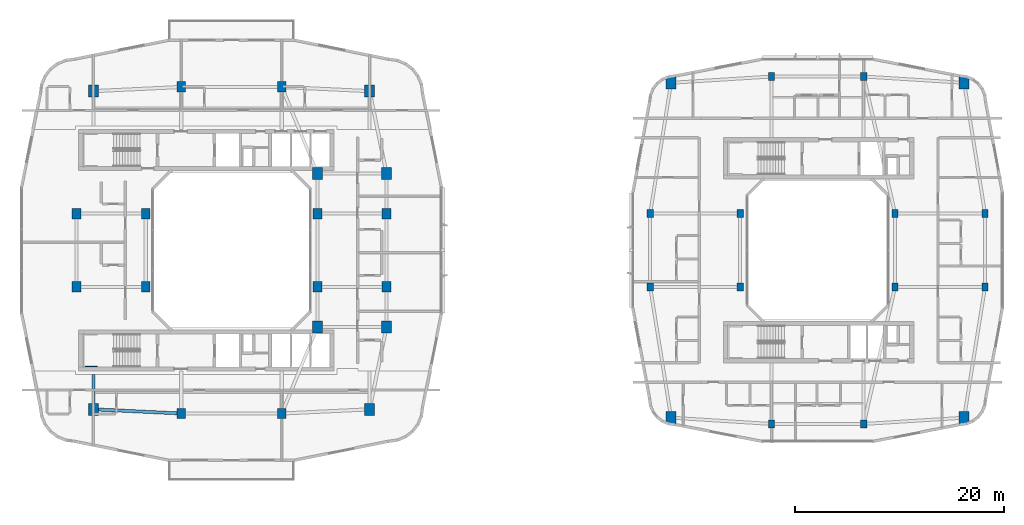
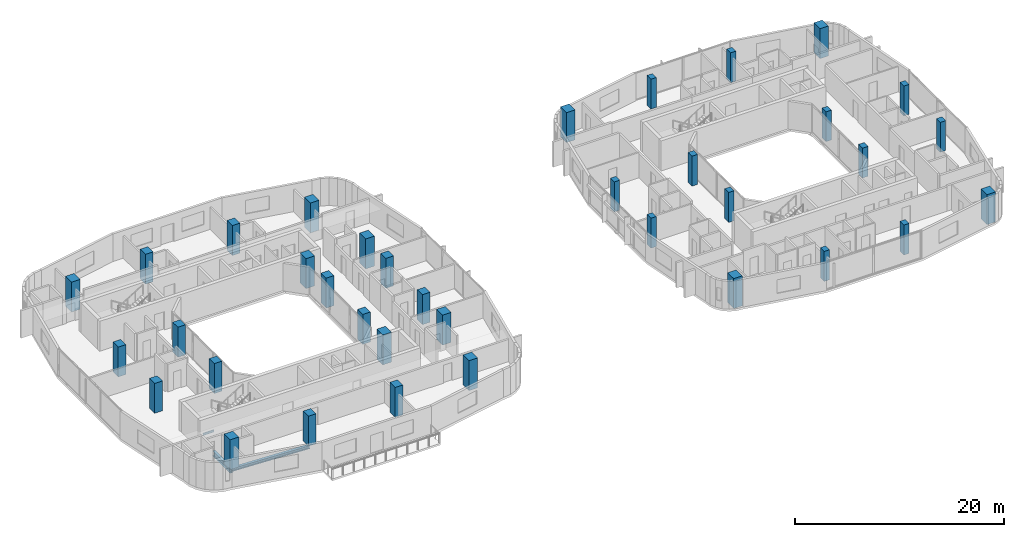
# One storey, part 1 of 26: 36 columns, 3 beams.
"""IFC4 building model written with IfcOpenShell, lengths in metres."""

from ifc_helpers import new_model, si_unit, derived_unit, direction, frame, origin, origin_2d, place, context, subcontext, project, spatial, rectangle, i_section, extrude, material, material_profile, profile_set, type_object, element, save


model = new_model("IFC4")

# Units and contexts
model_context = context("Model", 3, precision=1e-05, world=origin(), true_north=direction((0.0, 1.0)))
body_context = subcontext(model_context, "Body", "Model", "MODEL_VIEW")
ifc_project = project(units=[si_unit("LENGTHUNIT", "METRE"), si_unit("AREAUNIT", "SQUARE_METRE"), si_unit("VOLUMEUNIT", "CUBIC_METRE"), si_unit("PLANEANGLEUNIT", "RADIAN"), si_unit("MASSUNIT", "GRAM", prefix="KILO"), derived_unit("THERMALTRANSMITTANCEUNIT", [(si_unit("POWERUNIT", "WATT"), 1), (si_unit("LENGTHUNIT", "METRE"), -2), (si_unit("THERMODYNAMICTEMPERATUREUNIT", "KELVIN"), -1)])], contexts=[model_context])

# Site, building, storey
site_placement = place(None, origin())
site = spatial("IfcSite", under=ifc_project, at=site_placement, CompositionType="ELEMENT")
building_placement = place(site_placement, origin())
building = spatial("IfcBuilding", under=site, at=building_placement, Name="Kivonza Crest Hotel", CompositionType="ELEMENT")
storey_placement = place(building_placement, frame((0.0, 0.0, 95.0)))
storey = spatial("IfcBuildingStorey", under=building, at=storey_placement, Name="L25", CompositionType="ELEMENT", Elevation=95.0)

# Columns
ifc_material_1 = material(Name="Concrete C50/60", Category="concrete")
ifc_material_profile_1 = material_profile(ifc_material_1, rectangle(XDim=0.85009765625, YDim=1.0, at=origin_2d()), Name="RC 1000x850")
ifc_profile_set_1 = profile_set([ifc_material_profile_1], Name="Concrete C50/60")
column_type_1 = type_object("IfcColumnType", Name="CL-RC-1000x850", PredefinedType="COLUMN", material=ifc_profile_set_1)
for number, where, z_axis, x_axis, name in (
    (1, (16.199951171875, 9.39990234375, 0.0), (0.0, 0.0, 1.0), (1.0, 0.0, 0.0), "Tower T1 L25 column S1"),
    (2, (25.800048828125, 9.39990234375, 0.0), (0.0, 0.0, 1.0), (1.0, 0.0, 0.0), "Tower T1 L25 column S2"),
    (3, (16.199951171875, 40.60009765625, 0.0), (0.0, 0.0, 1.0), (1.0, 0.0, 0.0), "Tower T1 L25 column N1"),
    (4, (25.800048828125, 40.60009765625, 0.0), (0.0, 0.0, 1.0), (1.0, 0.0, 0.0), "Tower T1 L25 column N2"),
    (5, (6.199951171875, 21.5, 0.0), (0.0, 0.0, 1.0), (1.0, 0.0, 0.0), "Tower T1 L25 column W1"),
    (6, (6.199951171875, 28.5, 0.0), (0.0, 0.0, 1.0), (1.0, 0.0, 0.0), "Tower T1 L25 column W2"),
    (7, (35.800048828125, 21.5, 0.0), (0.0, 0.0, 1.0), (1.0, 0.0, 0.0), "Tower T1 L25 column E1"),
    (8, (35.800048828125, 28.5, 0.0), (0.0, 0.0, 1.0), (1.0, 0.0, 0.0), "Tower T1 L25 column E2"),
    (9, (12.800048828125, 21.5, 0.0), (0.0, 0.0, 1.0), (1.0, 0.0, 0.0), "Tower T1 L25 column WL1"),
    (10, (12.800048828125, 28.5, 0.0), (0.0, 0.0, 1.0), (1.0, 0.0, 0.0), "Tower T1 L25 column WL2"),
    (11, (29.199951171875, 21.5, 0.0), (0.0, 0.0, 1.0), (1.0, 0.0, 0.0), "Tower T1 L25 column WR1"),
    (12, (29.199951171875, 28.5, 0.0), (0.0, 0.0, 1.0), (1.0, 0.0, 0.0), "Tower T1 L25 column WR2"),
):
    element("IfcColumn", number, at=place(storey_placement, frame(where, z_axis=z_axis, x_axis=x_axis)), inside=storey, type_object=column_type_1, Name=name, PredefinedType="COLUMN", context=body_context, shape_type="SweptSolid", body=[
        extrude(rectangle(XDim=0.85009765625, YDim=1.0, at=origin_2d()), origin(), (0.0, 0.0, 1.0), 3.5),
    ])
ifc_material_2 = material(Name="Concrete C60/75", Category="concrete")
ifc_material_profile_2 = material_profile(ifc_material_2, rectangle(XDim=0.949951171875, YDim=1.14990234375, at=origin_2d()), Name="RC 1150x950")
ifc_profile_set_2 = profile_set([ifc_material_profile_2], Name="Concrete C60/75")
column_type_2 = type_object("IfcColumnType", Name="CL-RC-1150x950", PredefinedType="COLUMN", material=ifc_profile_set_2)
for number, where, z_axis, x_axis, name in (
    (13, (7.800048828125, 9.800048828125, 0.0), (0.0, 0.0, 1.0), (1.0, 0.0, 0.0), "Tower T1 L25 column SW"),
    (14, (34.199951171875, 9.800048828125, 0.0), (0.0, 0.0, 1.0), (1.0, 0.0, 0.0), "Tower T1 L25 column SE"),
    (15, (34.199951171875, 40.199951171875, 0.0), (0.0, 0.0, 1.0), (1.0, 0.0, 0.0), "Tower T1 L25 column NE"),
    (16, (7.800048828125, 40.199951171875, 0.0), (0.0, 0.0, 1.0), (1.0, 0.0, 0.0), "Tower T1 L25 column NW"),
    (17, (35.800048828125, 17.64990234375, 0.0), (0.0, 0.0, 1.0), (1.0, 0.0, 0.0), "Tower T1 L25 column PSE"),
    (18, (35.800048828125, 32.35009765625, 0.0), (0.0, 0.0, 1.0), (1.0, 0.0, 0.0), "Tower T1 L25 column PNE"),
    (19, (29.199951171875, 17.64990234375, 0.0), (0.0, 0.0, 1.0), (1.0, 0.0, 0.0), "Tower T1 L25 column TSE"),
    (20, (29.199951171875, 32.35009765625, 0.0), (0.0, 0.0, 1.0), (1.0, 0.0, 0.0), "Tower T1 L25 column TNE"),
    (21, (63.0, 9.0, 0.0), (0.0, 0.0, 1.0), (1.0, 0.0, 0.0), "Companion Tower T2 L25 column SW"),
    (22, (91.0, 9.0, 0.0), (0.0, 0.0, 1.0), (1.0, 0.0, 0.0), "Companion Tower T2 L25 column SE"),
    (23, (91.0, 41.0, 0.0), (0.0, 0.0, 1.0), (1.0, 0.0, 0.0), "Companion Tower T2 L25 column NE"),
    (24, (63.0, 41.0, 0.0), (0.0, 0.0, 1.0), (1.0, 0.0, 0.0), "Companion Tower T2 L25 column NW"),
):
    element("IfcColumn", number, at=place(storey_placement, frame(where, z_axis=z_axis, x_axis=x_axis)), inside=storey, type_object=column_type_2, Name=name, PredefinedType="COLUMN", context=body_context, shape_type="SweptSolid", body=[
        extrude(rectangle(XDim=0.949951171875, YDim=1.14990234375, at=origin_2d()), origin(), (0.0, 0.0, 1.0), 3.5),
    ])
ifc_material_profile_3 = material_profile(ifc_material_1, rectangle(XDim=0.60009765625, YDim=0.75, at=origin_2d()), Name="RC 750x600")
ifc_profile_set_3 = profile_set([ifc_material_profile_3], Name="Concrete C50/60")
column_type_3 = type_object("IfcColumnType", Name="CL-RC-750x600", PredefinedType="COLUMN", material=ifc_profile_set_3)
for number, where, z_axis, x_axis, name in (
    (25, (72.60009765625, 8.39990234375, 0.0), (0.0, 0.0, 1.0), (1.0, 0.0, 0.0), "Companion Tower T2 L25 column S1"),
    (26, (81.39990234375, 8.39990234375, 0.0), (0.0, 0.0, 1.0), (1.0, 0.0, 0.0), "Companion Tower T2 L25 column S2"),
    (27, (72.60009765625, 41.60009765625, 0.0), (0.0, 0.0, 1.0), (1.0, 0.0, 0.0), "Companion Tower T2 L25 column N1"),
    (28, (81.39990234375, 41.60009765625, 0.0), (0.0, 0.0, 1.0), (1.0, 0.0, 0.0), "Companion Tower T2 L25 column N2"),
    (29, (61.0, 21.5, 0.0), (0.0, 0.0, 1.0), (1.0, 0.0, 0.0), "Companion Tower T2 L25 column W1"),
    (30, (61.0, 28.5, 0.0), (0.0, 0.0, 1.0), (1.0, 0.0, 0.0), "Companion Tower T2 L25 column W2"),
    (31, (93.0, 21.5, 0.0), (0.0, 0.0, 1.0), (1.0, 0.0, 0.0), "Companion Tower T2 L25 column E1"),
    (32, (93.0, 28.5, 0.0), (0.0, 0.0, 1.0), (1.0, 0.0, 0.0), "Companion Tower T2 L25 column E2"),
    (33, (69.60009765625, 21.5, 0.0), (0.0, 0.0, 1.0), (1.0, 0.0, 0.0), "Companion Tower T2 L25 column WL1"),
    (34, (69.60009765625, 28.5, 0.0), (0.0, 0.0, 1.0), (1.0, 0.0, 0.0), "Companion Tower T2 L25 column WL2"),
    (35, (84.39990234375, 21.5, 0.0), (0.0, 0.0, 1.0), (1.0, 0.0, 0.0), "Companion Tower T2 L25 column WR1"),
    (36, (84.39990234375, 28.5, 0.0), (0.0, 0.0, 1.0), (1.0, 0.0, 0.0), "Companion Tower T2 L25 column WR2"),
):
    element("IfcColumn", number, at=place(storey_placement, frame(where, z_axis=z_axis, x_axis=x_axis)), inside=storey, type_object=column_type_3, Name=name, PredefinedType="COLUMN", context=body_context, shape_type="SweptSolid", body=[
        extrude(rectangle(XDim=0.60009765625, YDim=0.75, at=origin_2d()), origin(), (0.0, 0.0, 1.0), 3.5),
    ])

# Beams
ifc_material_3 = material(Name="Steel S355", Category="steel")
ifc_material_profile_4 = material_profile(ifc_material_3, i_section(OverallWidth=0.300048828125, OverallDepth=0.360107421875, WebThickness=0.012451171875, FlangeThickness=0.0224609375, FilletRadius=0.027099609375, at=origin_2d()), Name="HEB 360")
ifc_profile_set_4 = profile_set([ifc_material_profile_4], Name="Steel S355")
beam_type_1 = type_object("IfcBeamType", Name="BM-HEB360", PredefinedType="SPANDREL", material=ifc_profile_set_4)
beam_1_placement = place(storey_placement, frame((7.800048828125, 9.800048828125, -0.4599609375), z_axis=(0.998867283688, -0.047583080799, 0.0), x_axis=(0.047583080799, 0.998867283688, 0.0)))
element("IfcBeam", 37, at=beam_1_placement, inside=storey, type_object=beam_type_1, Name="Tower T1 L25 perimeter spandrel SW-S1", PredefinedType="SPANDREL", context=body_context, shape_type="SweptSolid", body=[
    extrude(i_section(OverallWidth=0.300048828125, OverallDepth=0.360107421875, WebThickness=0.012451171875, FlangeThickness=0.0224609375, FilletRadius=0.027099609375, at=origin_2d()), origin(), (0.0, 0.0, 1.0), 8.409423828125),
])
ifc_material_profile_5 = material_profile(ifc_material_3, i_section(OverallWidth=0.300048828125, OverallDepth=0.60009765625, WebThickness=0.015380859375, FlangeThickness=0.030029296875, FilletRadius=0.027099609375, at=origin_2d()), Name="HEB 600")
ifc_profile_set_5 = profile_set([ifc_material_profile_5], Name="Steel S355")
beam_type_2 = type_object("IfcBeamType", Name="BM-HEB600", PredefinedType="BEAM", material=ifc_profile_set_5)
beam_2_placement = place(storey_placement, frame((7.800048828125, 9.800048828125, -0.580078125), z_axis=(0.0, 1.0, 0.0), x_axis=(-1.0, 0.0, 0.0)))
element("IfcBeam", 38, at=beam_2_placement, inside=storey, type_object=beam_type_2, Name="Tower T1 L25 radial core girder RSW", PredefinedType="BEAM", context=body_context, shape_type="SweptSolid", body=[
    extrude(i_section(OverallWidth=0.300048828125, OverallDepth=0.60009765625, WebThickness=0.015380859375, FlangeThickness=0.030029296875, FilletRadius=0.027099609375, at=origin_2d()), origin(), (0.0, 0.0, 1.0), 3.349853515625),
])
ifc_material_profile_6 = material_profile(ifc_material_3, i_section(OverallWidth=0.1201171875, OverallDepth=0.239990234375, WebThickness=0.006103515625, FlangeThickness=0.009765625, FilletRadius=0.014892578125, at=origin_2d()), Name="IPE 240")
ifc_profile_set_6 = profile_set([ifc_material_profile_6], Name="Steel S355")
beam_type_3 = type_object("IfcBeamType", Name="BM-LLDG-240", PredefinedType="BEAM", material=ifc_profile_set_6)
beam_3_placement = place(storey_placement, frame((6.989990234375, 13.89990234375, 1.429931640625), z_axis=(1.0, 0.0, 0.0), x_axis=(0.0, 1.0, 0.0)))
element("IfcBeam", 39, at=beam_3_placement, inside=storey, type_object=beam_type_3, Name="Stair ST-T1-S L25 South landing corbel", PredefinedType="BEAM", context=body_context, shape_type="SweptSolid", body=[
    extrude(i_section(OverallWidth=0.1201171875, OverallDepth=0.239990234375, WebThickness=0.006103515625, FlangeThickness=0.009765625, FilletRadius=0.014892578125, at=origin_2d()), origin(), (0.0, 0.0, 1.0), 1.2099609375),
])

save(model, "model.ifc")
